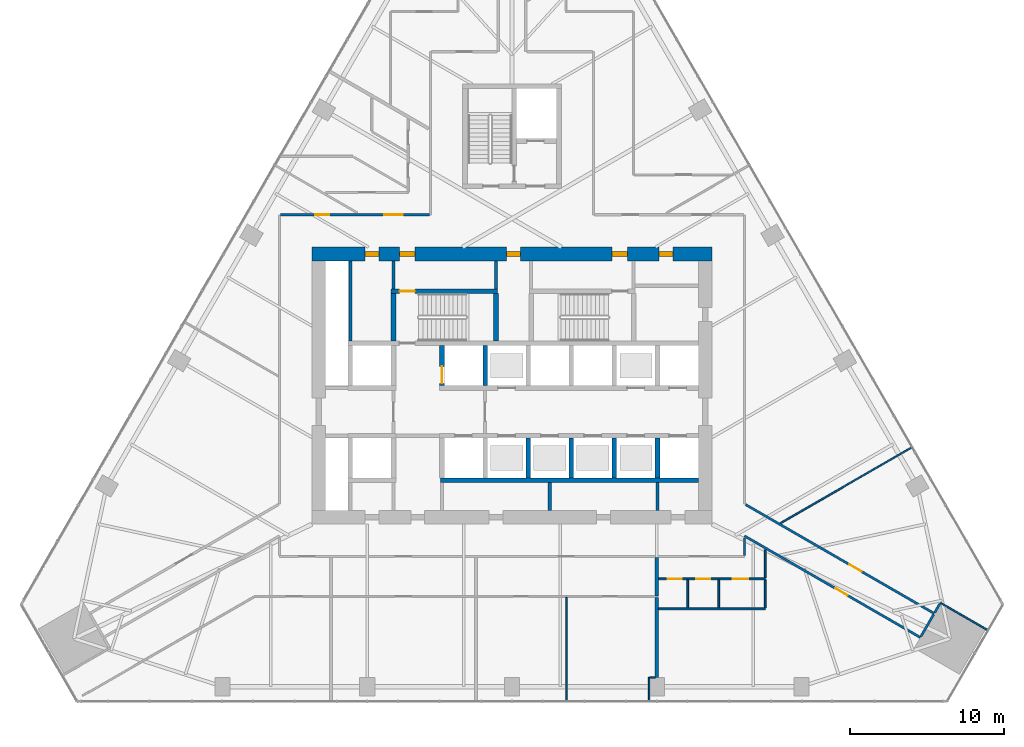
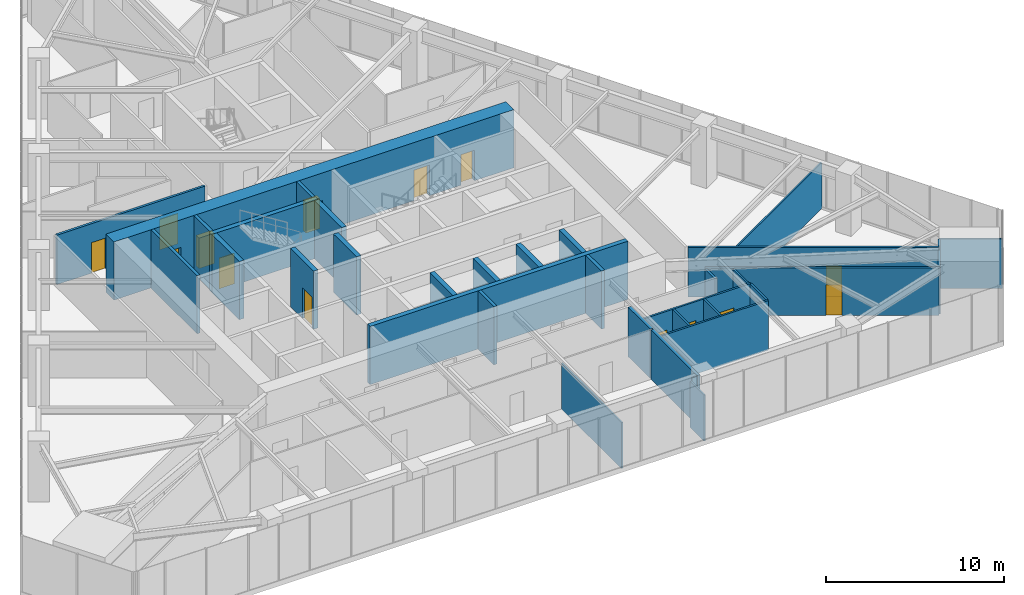
# One storey, part 17 of 21: 35 walls, 14 doors, 14 openings.
"""IFC4 building model written with IfcOpenShell, lengths in metres."""

from ifc_helpers import new_model, si_unit, direction, frame, frame_2d, origin, place, context, subcontext, project, spatial, rectangle, extrude, material, layer, layer_set, type_object, element, fill, save


model = new_model("IFC4")

# Units and contexts
model_context = context("Model", 3, precision=1e-05, world=origin(), true_north=direction((0.0, 1.0)))
body_context = subcontext(model_context, "Body", "Model", "MODEL_VIEW")
ifc_project = project(units=[si_unit("LENGTHUNIT", "METRE"), si_unit("AREAUNIT", "SQUARE_METRE"), si_unit("VOLUMEUNIT", "CUBIC_METRE"), si_unit("PLANEANGLEUNIT", "RADIAN"), si_unit("MASSUNIT", "GRAM", prefix="KILO")], contexts=[model_context])

# Site, building, storey
site_placement = place(None, origin())
site = spatial("IfcSite", under=ifc_project, at=site_placement, CompositionType="ELEMENT")
building_placement = place(site_placement, origin())
building = spatial("IfcBuilding", under=site, at=building_placement, Name="Firuza Gate Tower and Library", CompositionType="ELEMENT")
storey_placement = place(building_placement, frame((0.0, 0.0, 94.60009765625)))
storey = spatial("IfcBuildingStorey", under=building, at=storey_placement, Name="L21", CompositionType="ELEMENT", Elevation=94.60009765625)

# Walls
ifc_material_1 = material(Name="Plasterboard on steel studs", Category="steel")
ifc_layer_1 = layer(ifc_material_1, 0.199951171875)
ifc_layer_set_1 = layer_set([ifc_layer_1], Name="Core partition 200 EI 120")
wall_type_1 = type_object("IfcWallType", Name="Core partition 200 EI 120", PredefinedType="PARTITIONING", material=ifc_layer_set_1)
wall_1_placement = place(storey_placement, frame((64.5, 77.89990234375, 0.0), z_axis=(0.0, 0.0, 1.0), x_axis=(0.0, 1.0, 0.0)))
element("IfcWall", 1, at=wall_1_placement, inside=storey, type_object=wall_type_1, Name="Core partition L21 6", PredefinedType="PARTITIONING", context=body_context, shape_type="SweptSolid", body=[
    extrude(rectangle(XDim=5.2001953125, YDim=0.199951171875, at=frame_2d((2.60009765625, 0.0))), origin(), (0.0, 0.0, 1.0), 4.0),
])
wall_2_placement = place(storey_placement, frame((67.300048828125, 81.280029296875, 0.0), z_axis=(0.0, 0.0, 1.0), x_axis=(0.0, 1.0, 0.0)))
element("IfcWall", 2, at=wall_2_placement, inside=storey, type_object=wall_type_1, Name="Core partition L21 9", PredefinedType="PARTITIONING", context=body_context, shape_type="SweptSolid", body=[
    extrude(rectangle(XDim=1.820068359375, YDim=0.199951171875, at=frame_2d((0.91015625, 0.0))), origin(), (0.0, 0.0, 1.0), 4.0),
])
for number, where, z_axis, x_axis, name in (
    (3, (77.449951171875, 66.89990234375, 0.0), (0.0, 0.0, 1.0), (0.0, 1.0, 0.0), "Core partition L21 14"),
    (4, (84.449951171875, 66.89990234375, 0.0), (0.0, 0.0, 1.0), (0.0, 1.0, 0.0), "Core partition L21 16"),
):
    element("IfcWall", number, at=place(storey_placement, frame(where, z_axis=z_axis, x_axis=x_axis)), inside=storey, type_object=wall_type_1, Name=name, PredefinedType="PARTITIONING", context=body_context, shape_type="SweptSolid", body=[
        extrude(rectangle(XDim=1.800048828125, YDim=0.199951171875, at=frame_2d((0.89990234375, 0.0))), origin(), (0.0, 0.0, 1.0), 4.0),
    ])
ifc_material_2 = material(Name="Plasterboard on steel studs", Category="steel")
ifc_layer_2 = layer(ifc_material_2, 0.199951171875)
ifc_layer_set_2 = layer_set([ifc_layer_2], Name="Core partition 200 EI 60")
wall_type_2 = type_object("IfcWallType", Name="Core partition 200 EI 60", PredefinedType="PARTITIONING", material=ifc_layer_set_2)
wall_3_placement = place(storey_placement, frame((73.9599609375, 81.280029296875, 0.0), z_axis=(0.0, 0.0, 1.0), x_axis=(0.0, 1.0, 0.0)))
element("IfcWall", 5, at=wall_3_placement, inside=storey, type_object=wall_type_2, Name="Core partition L21 12", PredefinedType="PARTITIONING", context=body_context, shape_type="SweptSolid", body=[
    extrude(rectangle(XDim=1.820068359375, YDim=0.199951171875, at=frame_2d((0.91015625, 0.0))), origin(), (0.0, 0.0, 1.0), 4.0),
])
ifc_material_3 = material(Name="Concrete C80/95", Category="concrete")
ifc_layer_3 = layer(ifc_material_3, 0.300048828125)
ifc_layer_set_3 = layer_set([ifc_layer_3], Name="Core wall 300 C80/95")
wall_type_3 = type_object("IfcWallType", Name="Core wall 300 C80/95", PredefinedType="SHEAR", material=ifc_layer_set_3)
wall_4_placement = place(storey_placement, frame((70.35009765625, 68.85009765625, 0.0), z_axis=(0.0, 0.0, 1.0), x_axis=(1.0, 0.0, 0.0)))
element("IfcWall", 6, at=wall_4_placement, inside=storey, type_object=wall_type_3, Name="Core wall L21 6", PredefinedType="SHEAR", context=body_context, shape_type="SweptSolid", body=[
    extrude(rectangle(XDim=16.75, YDim=0.300048828125, at=frame_2d((8.375, 0.0))), origin(), (0.0, 0.0, 1.0), 4.0),
])

# Wall, opening, door
wall_5_placement = place(storey_placement, frame((70.449951171875, 75.0, 0.0), z_axis=(0.0, 0.0, 1.0), x_axis=(0.0, 1.0, 0.0)))
wall_5 = element("IfcWall", 7, at=wall_5_placement, inside=storey, type_object=wall_type_3, Name="Core wall L21 16", PredefinedType="SHEAR", context=body_context, shape_type="SweptSolid", body=[
    extrude(rectangle(XDim=2.60009765625, YDim=0.300048828125, at=frame_2d((1.300048828125, 0.0))), origin(), (0.0, 0.0, 1.0), 4.0),
])
opening_1_placement = place(wall_5_placement, frame((0.14990234375, 0.0, 0.0)))
opening_1 = element("IfcOpeningElement", 8, at=opening_1_placement, cuts=wall_5, Name="Opening LD-FF2-L21", PredefinedType="OPENING", context=body_context, shape_type="SweptSolid", body=[
    extrude(rectangle(XDim=1.10009765625, YDim=2.10009765625, at=frame_2d((0.550048828125, 1.050048828125))), frame((0.0, 0.16015625, 0.0), z_axis=(0.0, -1.0, 0.0), x_axis=(1.0, 0.0, 0.0)), (0.0, 0.0, 1.0), 0.320068359375),
])
ifc_material_4 = material(Name="Stainless steel", Category="steel")
door_type_1 = type_object("IfcDoorType", Name="Lift landing door 1100x2100", OperationType="DOUBLE_DOOR_SLIDING", PredefinedType="DOOR", material=ifc_material_4)
door_1_placement = place(opening_1_placement, origin())
door_1 = element("IfcDoor", 9, at=door_1_placement, inside=storey, type_object=door_type_1, Name="Landing door FF2 L21", OperationType="DOUBLE_DOOR_SLIDING", OverallHeight=2.10009765625, OverallWidth=1.10009765625, PredefinedType="DOOR", context=body_context, shape_type="SweptSolid", body=[
    extrude(rectangle(XDim=1.10009765625, YDim=2.10009765625, at=frame_2d((0.550048828125, 1.050048828125))), frame((0.0, 0.02490234375, 0.0), z_axis=(0.0, -1.0, 0.0), x_axis=(1.0, 0.0, 0.0)), (0.0, 0.0, 1.0), 0.050048828125),
])
fill(opening_1, door_1)

# Walls
for number, where, z_axis, x_axis, name in (
    (10, (73.25, 75.0, 0.0), (0.0, 0.0, 1.0), (0.0, 1.0, 0.0), "Core wall L21 18"),
    (11, (76.050048828125, 69.0, 0.0), (0.0, 0.0, 1.0), (0.0, 1.0, 0.0), "Core wall L21 19"),
    (12, (78.85009765625, 69.0, 0.0), (0.0, 0.0, 1.0), (0.0, 1.0, 0.0), "Core wall L21 21"),
    (13, (81.64990234375, 69.0, 0.0), (0.0, 0.0, 1.0), (0.0, 1.0, 0.0), "Core wall L21 23"),
    (14, (84.449951171875, 69.0, 0.0), (0.0, 0.0, 1.0), (0.0, 1.0, 0.0), "Core wall L21 25"),
):
    element("IfcWall", number, at=place(storey_placement, frame(where, z_axis=z_axis, x_axis=x_axis)), inside=storey, type_object=wall_type_3, Name=name, PredefinedType="SHEAR", context=body_context, shape_type="SweptSolid", body=[
        extrude(rectangle(XDim=2.60009765625, YDim=0.300048828125, at=frame_2d((1.300048828125, 0.0))), origin(), (0.0, 0.0, 1.0), 4.0),
    ])

# Wall, opening, door
wall_6_placement = place(storey_placement, frame((67.14990234375, 81.1298828125, 0.0), z_axis=(0.0, 0.0, 1.0), x_axis=(1.0, 0.0, 0.0)))
wall_6 = element("IfcWall", 15, at=wall_6_placement, inside=storey, type_object=wall_type_3, Name="Core wall L21 28", PredefinedType="SHEAR", context=body_context, shape_type="SweptSolid", body=[
    extrude(rectangle(XDim=6.91015625, YDim=0.300048828125, at=frame_2d((3.455078125, 0.0))), origin(), (0.0, 0.0, 1.0), 4.0),
])
opening_2_placement = place(wall_6_placement, frame((0.544921875, 0.0, 0.0)))
opening_2 = element("IfcOpeningElement", 16, at=opening_2_placement, cuts=wall_6, Name="Opening L21-K13", PredefinedType="OPENING", context=body_context, shape_type="SweptSolid", body=[
    extrude(rectangle(XDim=1.0, YDim=2.10009765625, at=frame_2d((0.5, 1.050048828125))), frame((0.0, 0.16015625, 0.0), z_axis=(0.0, -1.0, 0.0), x_axis=(1.0, 0.0, 0.0)), (0.0, 0.0, 1.0), 0.320068359375),
])
ifc_material_5 = material(Name="Steel", Category="steel")
door_type_2 = type_object("IfcDoorType", Name="Fire door 1000x2100 FD90", OperationType="NOTDEFINED", PredefinedType="DOOR", material=ifc_material_5)
door_2_placement = place(opening_2_placement, origin())
door_2 = element("IfcDoor", 17, at=door_2_placement, inside=storey, type_object=door_type_2, Name="Door L21-K13", OperationType="SINGLE_SWING_RIGHT", OverallHeight=2.10009765625, OverallWidth=1.0, PredefinedType="DOOR", context=body_context, shape_type="SweptSolid", body=[
    extrude(rectangle(XDim=1.0, YDim=2.10009765625, at=frame_2d((0.5, 1.050048828125))), frame((0.0, 0.02490234375, 0.0), z_axis=(0.0, -1.0, 0.0), x_axis=(1.0, 0.0, 0.0)), (0.0, 0.0, 1.0), 0.050048828125),
])
fill(opening_2, door_2)

# Walls
for number, where, z_axis, x_axis, name in (
    (18, (67.300048828125, 77.89990234375, 0.0), (0.0, 0.0, 1.0), (0.0, 1.0, 0.0), "Core wall L21 30"),
    (19, (73.9599609375, 77.89990234375, 0.0), (0.0, 0.0, 1.0), (0.0, 1.0, 0.0), "Core wall L21 31"),
):
    element("IfcWall", number, at=place(storey_placement, frame(where, z_axis=z_axis, x_axis=x_axis)), inside=storey, type_object=wall_type_3, Name=name, PredefinedType="SHEAR", context=body_context, shape_type="SweptSolid", body=[
        extrude(rectangle(XDim=3.080078125, YDim=0.300048828125, at=frame_2d((1.5400390625, 0.0))), origin(), (0.0, 0.0, 1.0), 4.0),
    ])

# Wall, openings, doors
ifc_material_6 = material(Name="Concrete C80/95", Category="concrete")
ifc_layer_4 = layer(ifc_material_6, 0.89990234375)
ifc_layer_set_4 = layer_set([ifc_layer_4], Name="Core wall 900 C80/95")
wall_type_4 = type_object("IfcWallType", Name="Core wall 900 C80/95", PredefinedType="SHEAR", material=ifc_layer_set_4)
wall_7_placement = place(storey_placement, frame((62.0, 83.550048828125, 0.0), z_axis=(0.0, 0.0, 1.0), x_axis=(1.0, 0.0, 0.0)))
wall_7 = element("IfcWall", 20, at=wall_7_placement, inside=storey, type_object=wall_type_4, Name="Core wall L21 2", PredefinedType="SHEAR", context=body_context, shape_type="SweptSolid", body=[
    extrude(rectangle(XDim=26.0, YDim=0.89990234375, at=frame_2d((13.0, 0.0))), origin(), (0.0, 0.0, 1.0), 4.0),
])
opening_3_placement = place(wall_7_placement, frame((5.695068359375, 0.0, 0.0)))
opening_3 = element("IfcOpeningElement", 21, at=opening_3_placement, cuts=wall_7, Name="Opening L21-K14", PredefinedType="OPENING", context=body_context, shape_type="SweptSolid", body=[
    extrude(rectangle(XDim=1.0, YDim=2.10009765625, at=frame_2d((0.5, 1.050048828125))), frame((0.0, 0.4599609375, 0.0), z_axis=(0.0, -1.0, 0.0), x_axis=(1.0, 0.0, 0.0)), (0.0, 0.0, 1.0), 0.919921875),
])
opening_4_placement = place(wall_7_placement, frame((19.5048828125, 0.0, 0.0)))
opening_4 = element("IfcOpeningElement", 22, at=opening_4_placement, cuts=wall_7, Name="Opening L21-K16", PredefinedType="OPENING", context=body_context, shape_type="SweptSolid", body=[
    extrude(rectangle(XDim=1.0, YDim=2.10009765625, at=frame_2d((0.5, 1.050048828125))), frame((0.0, 0.4599609375, 0.0), z_axis=(0.0, -1.0, 0.0), x_axis=(1.0, 0.0, 0.0)), (0.0, 0.0, 1.0), 0.919921875),
])
opening_5_placement = place(wall_7_placement, frame((3.449951171875, 0.0, 0.0)))
opening_5 = element("IfcOpeningElement", 23, at=opening_5_placement, cuts=wall_7, Name="Opening L21-K29", PredefinedType="OPENING", context=body_context, shape_type="SweptSolid", body=[
    extrude(rectangle(XDim=0.89990234375, YDim=2.10009765625, at=frame_2d((0.449951171875, 1.050048828125))), frame((0.0, 0.4599609375, 0.0), z_axis=(0.0, -1.0, 0.0), x_axis=(1.0, 0.0, 0.0)), (0.0, 0.0, 1.0), 0.919921875),
])
opening_6_placement = place(wall_7_placement, frame((12.64990234375, 0.0, 0.0)))
opening_6 = element("IfcOpeningElement", 24, at=opening_6_placement, cuts=wall_7, Name="Opening L21-K30", PredefinedType="OPENING", context=body_context, shape_type="SweptSolid", body=[
    extrude(rectangle(XDim=0.89990234375, YDim=2.10009765625, at=frame_2d((0.449951171875, 1.050048828125))), frame((0.0, 0.4599609375, 0.0), z_axis=(0.0, -1.0, 0.0), x_axis=(1.0, 0.0, 0.0)), (0.0, 0.0, 1.0), 0.919921875),
])
opening_7_placement = place(wall_7_placement, frame((22.550048828125, 0.0, 0.0)))
opening_7 = element("IfcOpeningElement", 25, at=opening_7_placement, cuts=wall_7, Name="Opening L21-K32", PredefinedType="OPENING", context=body_context, shape_type="SweptSolid", body=[
    extrude(rectangle(XDim=0.89990234375, YDim=2.10009765625, at=frame_2d((0.449951171875, 1.050048828125))), frame((0.0, 0.4599609375, 0.0), z_axis=(0.0, -1.0, 0.0), x_axis=(1.0, 0.0, 0.0)), (0.0, 0.0, 1.0), 0.919921875),
])
door_3_placement = place(opening_3_placement, origin())
door_3 = element("IfcDoor", 26, at=door_3_placement, inside=storey, type_object=door_type_2, Name="Door L21-K14", OperationType="SINGLE_SWING_LEFT", OverallHeight=2.10009765625, OverallWidth=1.0, PredefinedType="DOOR", context=body_context, shape_type="SweptSolid", body=[
    extrude(rectangle(XDim=1.0, YDim=2.10009765625, at=frame_2d((0.5, 1.050048828125))), frame((0.0, 0.169921875, 0.0), z_axis=(0.0, -1.0, 0.0), x_axis=(1.0, 0.0, 0.0)), (0.0, 0.0, 1.0), 0.33984375),
])
fill(opening_3, door_3)
door_4_placement = place(opening_4_placement, origin())
door_4 = element("IfcDoor", 27, at=door_4_placement, inside=storey, type_object=door_type_2, Name="Door L21-K16", OperationType="SINGLE_SWING_LEFT", OverallHeight=2.10009765625, OverallWidth=1.0, PredefinedType="DOOR", context=body_context, shape_type="SweptSolid", body=[
    extrude(rectangle(XDim=1.0, YDim=2.10009765625, at=frame_2d((0.5, 1.050048828125))), frame((0.0, 0.169921875, 0.0), z_axis=(0.0, -1.0, 0.0), x_axis=(1.0, 0.0, 0.0)), (0.0, 0.0, 1.0), 0.33984375),
])
fill(opening_4, door_4)
ifc_material_7 = material(Name="Steel", Category="steel")
door_type_3 = type_object("IfcDoorType", Name="Fire door 900x2100 FD30S", OperationType="NOTDEFINED", PredefinedType="DOOR", material=ifc_material_7)
door_5_placement = place(opening_5_placement, origin())
door_5 = element("IfcDoor", 28, at=door_5_placement, inside=storey, type_object=door_type_3, Name="Door L21-K29", OperationType="SINGLE_SWING_RIGHT", OverallHeight=2.10009765625, OverallWidth=0.89990234375, PredefinedType="DOOR", context=body_context, shape_type="SweptSolid", body=[
    extrude(rectangle(XDim=0.89990234375, YDim=2.10009765625, at=frame_2d((0.449951171875, 1.050048828125))), frame((0.0, 0.169921875, 0.0), z_axis=(0.0, -1.0, 0.0), x_axis=(1.0, 0.0, 0.0)), (0.0, 0.0, 1.0), 0.33984375),
])
fill(opening_5, door_5)
door_6_placement = place(opening_6_placement, origin())
door_6 = element("IfcDoor", 29, at=door_6_placement, inside=storey, type_object=door_type_3, Name="Door L21-K30", OperationType="SINGLE_SWING_LEFT", OverallHeight=2.10009765625, OverallWidth=0.89990234375, PredefinedType="DOOR", context=body_context, shape_type="SweptSolid", body=[
    extrude(rectangle(XDim=0.89990234375, YDim=2.10009765625, at=frame_2d((0.449951171875, 1.050048828125))), frame((0.0, 0.169921875, 0.0), z_axis=(0.0, -1.0, 0.0), x_axis=(1.0, 0.0, 0.0)), (0.0, 0.0, 1.0), 0.33984375),
])
fill(opening_6, door_6)
door_7_placement = place(opening_7_placement, origin())
door_7 = element("IfcDoor", 30, at=door_7_placement, inside=storey, type_object=door_type_3, Name="Door L21-K32", OperationType="SINGLE_SWING_LEFT", OverallHeight=2.10009765625, OverallWidth=0.89990234375, PredefinedType="DOOR", context=body_context, shape_type="SweptSolid", body=[
    extrude(rectangle(XDim=0.89990234375, YDim=2.10009765625, at=frame_2d((0.449951171875, 1.050048828125))), frame((0.0, 0.169921875, 0.0), z_axis=(0.0, -1.0, 0.0), x_axis=(1.0, 0.0, 0.0)), (0.0, 0.0, 1.0), 0.33984375),
])
fill(opening_7, door_7)

ifc_material_8 = material(Name="Gypsum board partition")
ifc_layer_5 = layer(ifc_material_8, 0.14990234375)
ifc_layer_set_5 = layer_set([ifc_layer_5], Name="Corridor wall 150 double board on steel studs")
wall_type_5 = type_object("IfcWallType", Name="Corridor wall 150 double board on steel studs", PredefinedType="PARTITIONING", material=ifc_layer_set_5)
wall_8_placement = place(storey_placement, frame((59.9755859375, 86.10009765625, 0.0), z_axis=(0.0, 0.0, 1.0), x_axis=(1.0, 0.0, 0.0)))
wall_8 = element("IfcWall", 31, at=wall_8_placement, inside=storey, type_object=wall_type_5, Name="f:L21:w005", PredefinedType="PARTITIONING", context=body_context, shape_type="SweptSolid", body=[
    extrude(rectangle(XDim=9.6494140625, YDim=0.14990234375, at=frame_2d((4.82470703125, 0.0))), origin(), (0.0, 0.0, 1.0), 3.39990234375),
])
opening_8_placement = place(wall_8_placement, frame((2.25244140625, 0.0, 0.0)))
opening_8 = element("IfcOpeningElement", 32, at=opening_8_placement, cuts=wall_8, Name="Opening L21-12", PredefinedType="OPENING", context=body_context, shape_type="SweptSolid", body=[
    extrude(rectangle(XDim=0.89990234375, YDim=2.10009765625, at=frame_2d((0.449951171875, 1.050048828125))), frame((0.0, 0.0849609375, 0.0), z_axis=(0.0, -1.0, 0.0), x_axis=(1.0, 0.0, 0.0)), (0.0, 0.0, 1.0), 0.169921875),
])
opening_9_placement = place(wall_8_placement, frame((6.722900390625, 0.0, 0.0)))
opening_9 = element("IfcOpeningElement", 33, at=opening_9_placement, cuts=wall_8, Name="Opening L21-13", PredefinedType="OPENING", context=body_context, shape_type="SweptSolid", body=[
    extrude(rectangle(XDim=1.199951171875, YDim=2.10009765625, at=frame_2d((0.60009765625, 1.050048828125))), frame((0.0, 0.0849609375, 0.0), z_axis=(0.0, -1.0, 0.0), x_axis=(1.0, 0.0, 0.0)), (0.0, 0.0, 1.0), 0.169921875),
])
ifc_material_9 = material(Name="Steel door and timber leaf", Category="steel")
door_type_4 = type_object("IfcDoorType", Name="Fire door 1200 x 2100 steel frame, double leaf", OperationType="NOTDEFINED", PredefinedType="DOOR", material=ifc_material_9)
door_8_placement = place(opening_9_placement, origin())
door_8 = element("IfcDoor", 34, at=door_8_placement, inside=storey, type_object=door_type_4, Name="f:L21:d013", OperationType="DOUBLE_DOOR_SINGLE_SWING", OverallHeight=2.10009765625, OverallWidth=1.199951171875, PredefinedType="DOOR", context=body_context, shape_type="SweptSolid", body=[
    extrude(rectangle(XDim=1.199951171875, YDim=2.10009765625, at=frame_2d((0.60009765625, 1.050048828125))), frame((0.0, 0.02490234375, 0.0), z_axis=(0.0, -1.0, 0.0), x_axis=(1.0, 0.0, 0.0)), (0.0, 0.0, 1.0), 0.050048828125),
])
fill(opening_9, door_8)
ifc_material_10 = material(Name="Steel door and timber leaf", Category="steel")
door_type_5 = type_object("IfcDoorType", Name="Fire door 900 x 2100 steel frame, timber leaf", OperationType="NOTDEFINED", PredefinedType="DOOR", material=ifc_material_10)
door_9_placement = place(opening_8_placement, origin())
door_9 = element("IfcDoor", 35, at=door_9_placement, inside=storey, type_object=door_type_5, Name="f:L21:d012", OperationType="SINGLE_SWING_LEFT", OverallHeight=2.10009765625, OverallWidth=0.89990234375, PredefinedType="DOOR", context=body_context, shape_type="SweptSolid", body=[
    extrude(rectangle(XDim=0.89990234375, YDim=2.10009765625, at=frame_2d((0.449951171875, 1.050048828125))), frame((0.0, 0.02490234375, 0.0), z_axis=(0.0, -1.0, 0.0), x_axis=(1.0, 0.0, 0.0)), (0.0, 0.0, 1.0), 0.050048828125),
])
fill(opening_8, door_9)

# Walls
wall_9_placement = place(storey_placement, frame((101.567138671875, 58.70947265625, 0.0), z_axis=(0.0, 0.0, 1.0), x_axis=(0.499991515992, 0.866030301974, 0.0)))
element("IfcWall", 36, at=wall_9_placement, inside=storey, type_object=wall_type_5, Name="f:L21:w024", PredefinedType="PARTITIONING", context=body_context, shape_type="SweptSolid", body=[
    extrude(rectangle(XDim=1.6494140625, YDim=0.14990234375, at=frame_2d((0.82470703125, 0.0))), origin(), (0.0, 0.0, 1.0), 3.246826171875),
])
wall_10_placement = place(storey_placement, frame((90.10009765625, 63.97509765625, 0.0), z_axis=(0.0, 0.0, 1.0), x_axis=(0.0, 1.0, 0.0)))
element("IfcWall", 37, at=wall_10_placement, inside=storey, type_object=wall_type_5, Name="f:L21:w026", PredefinedType="PARTITIONING", context=body_context, shape_type="SweptSolid", body=[
    extrude(rectangle(XDim=1.131103515625, YDim=0.14990234375, at=frame_2d((0.5654296875, 0.0))), origin(), (0.0, 0.0, 1.0), 3.246826171875),
])

# Wall, opening, door
wall_11_placement = place(storey_placement, frame((90.175048828125, 67.278076171875, 0.0), z_axis=(0.0, 0.0, 1.0), x_axis=(0.866020657332, -0.500008221008, 0.0)))
wall_11 = element("IfcWall", 38, at=wall_11_placement, inside=storey, type_object=wall_type_5, Name="f:L21:w055", PredefinedType="PARTITIONING", context=body_context, shape_type="SweptSolid", body=[
    extrude(rectangle(XDim=14.149658203125, YDim=0.14990234375, at=frame_2d((7.07470703125, 0.0))), origin(), (0.0, 0.0, 1.0), 3.39990234375),
])
opening_10_placement = place(wall_11_placement, frame((7.782470703125, 0.0, 0.0)))
opening_10 = element("IfcOpeningElement", 39, at=opening_10_placement, cuts=wall_11, Name="Opening L21-23", PredefinedType="OPENING", context=body_context, shape_type="SweptSolid", body=[
    extrude(rectangle(XDim=0.89990234375, YDim=2.10009765625, at=frame_2d((0.449951171875, 1.050048828125))), frame((0.0, 0.0849609375, 0.0), z_axis=(0.0, -1.0, 0.0), x_axis=(1.0, 0.0, 0.0)), (0.0, 0.0, 1.0), 0.169921875),
])
door_10_placement = place(opening_10_placement, origin())
door_10 = element("IfcDoor", 40, at=door_10_placement, inside=storey, type_object=door_type_5, Name="f:L21:d023", OperationType="SINGLE_SWING_RIGHT", OverallHeight=2.10009765625, OverallWidth=0.89990234375, PredefinedType="DOOR", context=body_context, shape_type="SweptSolid", body=[
    extrude(rectangle(XDim=0.89990234375, YDim=2.10009765625, at=frame_2d((0.449951171875, 1.050048828125))), frame((0.0, 0.02490234375, 0.0), z_axis=(0.0, -1.0, 0.0), x_axis=(1.0, 0.0, 0.0)), (0.0, 0.0, 1.0), 0.050048828125),
])
fill(opening_10, door_10)

wall_12_placement = place(storey_placement, frame((101.528564453125, 58.64453125, 0.0), z_axis=(0.0, 0.0, 1.0), x_axis=(-0.866020144196, 0.500009109764, 0.0)))
wall_12 = element("IfcWall", 41, at=wall_12_placement, inside=storey, type_object=wall_type_5, Name="f:L21:w056", PredefinedType="PARTITIONING", context=body_context, shape_type="SweptSolid", body=[
    extrude(rectangle(XDim=13.196533203125, YDim=0.14990234375, at=frame_2d((6.59814453125, 0.0))), origin(), (0.0, 0.0, 1.0), 3.246826171875),
])
opening_11_placement = place(wall_12_placement, frame((5.467041015625, 0.0, 0.0)))
opening_11 = element("IfcOpeningElement", 42, at=opening_11_placement, cuts=wall_12, Name="Opening L21-24", PredefinedType="OPENING", context=body_context, shape_type="SweptSolid", body=[
    extrude(rectangle(XDim=0.89990234375, YDim=2.10009765625, at=frame_2d((0.449951171875, 1.050048828125))), frame((0.0, 0.0849609375, 0.0), z_axis=(0.0, -1.0, 0.0), x_axis=(1.0, 0.0, 0.0)), (0.0, 0.0, 1.0), 0.169921875),
])
door_11_placement = place(opening_11_placement, origin())
door_11 = element("IfcDoor", 43, at=door_11_placement, inside=storey, type_object=door_type_5, Name="f:L21:d024", OperationType="SINGLE_SWING_RIGHT", OverallHeight=2.10009765625, OverallWidth=0.89990234375, PredefinedType="DOOR", context=body_context, shape_type="SweptSolid", body=[
    extrude(rectangle(XDim=0.89990234375, YDim=2.10009765625, at=frame_2d((0.449951171875, 1.050048828125))), frame((0.0, 0.02490234375, 0.0), z_axis=(0.0, -1.0, 0.0), x_axis=(1.0, 0.0, 0.0)), (0.0, 0.0, 1.0), 0.050048828125),
])
fill(opening_11, door_11)

# Walls
wall_13_placement = place(storey_placement, frame((102.467041015625, 60.267822265625, 0.0), z_axis=(0.0, 0.0, 1.0), x_axis=(0.499837337514, 0.866119296648, 0.0)))
element("IfcWall", 44, at=wall_13_placement, inside=storey, type_object=wall_type_5, Name="f:L21:w062", PredefinedType="PARTITIONING", context=body_context, shape_type="SweptSolid", body=[
    extrude(rectangle(XDim=0.674560546875, YDim=0.14990234375, at=frame_2d((0.33740234375, 0.0))), origin(), (0.0, 0.0, 1.0), 3.39990234375),
])
ifc_material_11 = material(Name="Gypsum board partition")
ifc_layer_6 = layer(ifc_material_11, 0.199951171875)
ifc_layer_set_6 = layer_set([ifc_layer_6], Name="Demising wall 200 acoustic double stud")
wall_type_6 = type_object("IfcWallType", Name="Demising wall 200 acoustic double stud", PredefinedType="PARTITIONING", material=ifc_layer_set_6)
wall_14_placement = place(storey_placement, frame((84.403076171875, 56.056396484375, 0.0), z_axis=(0.0, 0.0, 1.0), x_axis=(0.0, 1.0, 0.0)))
element("IfcWall", 45, at=wall_14_placement, inside=storey, type_object=wall_type_6, Name="f:L21:w030", PredefinedType="PARTITIONING", context=body_context, shape_type="SweptSolid", body=[
    extrude(rectangle(XDim=5.193603515625, YDim=0.199951171875, at=frame_2d((2.5966796875, 0.0))), origin(), (0.0, 0.0, 1.0), 3.39990234375),
])
wall_15_placement = place(storey_placement, frame((84.403076171875, 61.35009765625, 0.0), z_axis=(0.0, 0.0, 1.0), x_axis=(0.0, 1.0, 0.0)))
element("IfcWall", 46, at=wall_15_placement, inside=storey, type_object=wall_type_6, Name="f:L21:w058", PredefinedType="PARTITIONING", context=body_context, shape_type="SweptSolid", body=[
    extrude(rectangle(XDim=2.474853515625, YDim=0.199951171875, at=frame_2d((1.2373046875, 0.0))), origin(), (0.0, 0.0, 1.0), 3.39990234375),
])
ifc_material_12 = material(Name="Gypsum board partition")
ifc_layer_7 = layer(ifc_material_12, 0.10009765625)
ifc_layer_set_7 = layer_set([ifc_layer_7], Name="Partition 100 gypsum board on steel studs")
wall_type_7 = type_object("IfcWallType", Name="Partition 100 gypsum board on steel studs", PredefinedType="PARTITIONING", material=ifc_layer_set_7)
wall_16_placement = place(storey_placement, frame((83.953857421875, 56.055908203125, 0.0), z_axis=(0.0, 0.0, 1.0), x_axis=(1.0, 0.0, 0.0)))
element("IfcWall", 47, at=wall_16_placement, inside=storey, type_object=wall_type_7, Name="f:L21:w000", PredefinedType="PARTITIONING", context=body_context, shape_type="SweptSolid", body=[
    extrude(rectangle(XDim=0.348876953125, YDim=0.10009765625, at=frame_2d((0.17431640625, 0.0))), origin(), (0.0, 0.0, 1.0), 3.39990234375),
])
wall_17_placement = place(storey_placement, frame((92.456787109375, 66.0771484375, 0.0), z_axis=(0.0, 0.0, 1.0), x_axis=(0.866029936849, 0.499992148419, 0.0)))
element("IfcWall", 48, at=wall_17_placement, inside=storey, type_object=wall_type_7, Name="f:L21:w015", PredefinedType="PARTITIONING", context=body_context, shape_type="SweptSolid", body=[
    extrude(rectangle(XDim=9.847412109375, YDim=0.10009765625, at=frame_2d((4.923828125, 0.0))), origin(), (0.0, 0.0, 1.0), 3.164794921875),
])
wall_18_placement = place(storey_placement, frame((83.903076171875, 54.495849609375, 0.0), z_axis=(0.0, 0.0, 1.0), x_axis=(0.0, 1.0, 0.0)))
element("IfcWall", 49, at=wall_18_placement, inside=storey, type_object=wall_type_7, Name="f:L21:w031", PredefinedType="PARTITIONING", context=body_context, shape_type="SweptSolid", body=[
    extrude(rectangle(XDim=1.5595703125, YDim=0.10009765625, at=frame_2d((0.77978515625, 0.0))), origin(), (0.0, 0.0, 1.0), 3.164794921875),
])
wall_19_placement = place(storey_placement, frame((78.52587890625, 54.495849609375, 0.0), z_axis=(0.0, 0.0, 1.0), x_axis=(0.0, 1.0, 0.0)))
element("IfcWall", 50, at=wall_19_placement, inside=storey, type_object=wall_type_7, Name="f:L21:w034", PredefinedType="PARTITIONING", context=body_context, shape_type="SweptSolid", body=[
    extrude(rectangle(XDim=6.754150390625, YDim=0.10009765625, at=frame_2d((3.376953125, 0.0))), origin(), (0.0, 0.0, 1.0), 3.164794921875),
])
wall_20_placement = place(storey_placement, frame((105.912109375, 59.115966796875, 0.0), z_axis=(0.0, 0.0, 1.0), x_axis=(-0.866014251095, 0.500019316528, 0.0)))
element("IfcWall", 51, at=wall_20_placement, inside=storey, type_object=wall_type_7, Name="f:L21:w054", PredefinedType="PARTITIONING", context=body_context, shape_type="SweptSolid", body=[
    extrude(rectangle(XDim=3.559326171875, YDim=0.10009765625, at=frame_2d((1.77978515625, 0.0))), origin(), (0.0, 0.0, 1.0), 3.39990234375),
])
ifc_material_13 = material(Name="Gypsum board partition")
ifc_layer_8 = layer(ifc_material_13, 0.1201171875)
ifc_layer_set_8 = layer_set([ifc_layer_8], Name="Wet-area partition 120 moisture-resistant board")
wall_type_8 = type_object("IfcWallType", Name="Wet-area partition 120 moisture-resistant board", PredefinedType="PARTITIONING", material=ifc_layer_set_8)
wall_21_placement = place(storey_placement, frame((84.50390625, 60.5, 0.0), z_axis=(0.0, 0.0, 1.0), x_axis=(1.0, 0.0, 0.0)))
element("IfcWall", 52, at=wall_21_placement, inside=storey, type_object=wall_type_8, Name="f:L21:w001", PredefinedType="PARTITIONING", context=body_context, shape_type="SweptSolid", body=[
    extrude(rectangle(XDim=6.951416015625, YDim=0.1201171875, at=frame_2d((3.4755859375, 0.0))), origin(), (0.0, 0.0, 1.0), 3.39990234375),
])

# Wall, openings, doors
wall_22_placement = place(storey_placement, frame((84.50341796875, 62.449951171875, 0.0), z_axis=(0.0, 0.0, 1.0), x_axis=(1.0, 0.0, 0.0)))
wall_22 = element("IfcWall", 53, at=wall_22_placement, inside=storey, type_object=wall_type_8, Name="f:L21:w003", PredefinedType="PARTITIONING", context=body_context, shape_type="SweptSolid", body=[
    extrude(rectangle(XDim=6.952392578125, YDim=0.1201171875, at=frame_2d((3.47607421875, 0.0))), origin(), (0.0, 0.0, 1.0), 3.39990234375),
])
opening_12_placement = place(wall_22_placement, frame((0.60888671875, 0.0, 0.0)))
opening_12 = element("IfcOpeningElement", 54, at=opening_12_placement, cuts=wall_22, Name="Opening L21-05", PredefinedType="OPENING", context=body_context, shape_type="SweptSolid", body=[
    extrude(rectangle(XDim=0.89990234375, YDim=2.10009765625, at=frame_2d((0.449951171875, 1.050048828125))), frame((0.0, 0.070068359375, 0.0), z_axis=(0.0, -1.0, 0.0), x_axis=(1.0, 0.0, 0.0)), (0.0, 0.0, 1.0), 0.14013671875),
])
opening_13_placement = place(wall_22_placement, frame((2.472412109375, 0.0, 0.0)))
opening_13 = element("IfcOpeningElement", 55, at=opening_13_placement, cuts=wall_22, Name="Opening L21-06", PredefinedType="OPENING", context=body_context, shape_type="SweptSolid", body=[
    extrude(rectangle(XDim=0.89990234375, YDim=2.10009765625, at=frame_2d((0.449951171875, 1.050048828125))), frame((0.0, 0.070068359375, 0.0), z_axis=(0.0, -1.0, 0.0), x_axis=(1.0, 0.0, 0.0)), (0.0, 0.0, 1.0), 0.14013671875),
])
opening_14_placement = place(wall_22_placement, frame((4.83984375, 0.0, 0.0)))
opening_14 = element("IfcOpeningElement", 56, at=opening_14_placement, cuts=wall_22, Name="Opening L21-07", PredefinedType="OPENING", context=body_context, shape_type="SweptSolid", body=[
    extrude(rectangle(XDim=1.0, YDim=2.10009765625, at=frame_2d((0.5, 1.050048828125))), frame((0.0, 0.070068359375, 0.0), z_axis=(0.0, -1.0, 0.0), x_axis=(1.0, 0.0, 0.0)), (0.0, 0.0, 1.0), 0.14013671875),
])
ifc_material_14 = material(Name="Timber door", Category="wood")
door_type_6 = type_object("IfcDoorType", Name="Door 1000 x 2100 timber leaf", OperationType="NOTDEFINED", PredefinedType="DOOR", material=ifc_material_14)
door_12_placement = place(opening_14_placement, origin())
door_12 = element("IfcDoor", 57, at=door_12_placement, inside=storey, type_object=door_type_6, Name="f:L21:d007", OperationType="SINGLE_SWING_LEFT", OverallHeight=2.10009765625, OverallWidth=1.0, PredefinedType="DOOR", context=body_context, shape_type="SweptSolid", body=[
    extrude(rectangle(XDim=1.0, YDim=2.10009765625, at=frame_2d((0.5, 1.050048828125))), frame((0.0, 0.02490234375, 0.0), z_axis=(0.0, -1.0, 0.0), x_axis=(1.0, 0.0, 0.0)), (0.0, 0.0, 1.0), 0.050048828125),
])
fill(opening_14, door_12)
ifc_material_15 = material(Name="Timber door", Category="wood")
door_type_7 = type_object("IfcDoorType", Name="Door 900 x 2100 timber leaf", OperationType="NOTDEFINED", PredefinedType="DOOR", material=ifc_material_15)
door_13_placement = place(opening_12_placement, origin())
door_13 = element("IfcDoor", 58, at=door_13_placement, inside=storey, type_object=door_type_7, Name="f:L21:d005", OperationType="SINGLE_SWING_LEFT", OverallHeight=2.10009765625, OverallWidth=0.89990234375, PredefinedType="DOOR", context=body_context, shape_type="SweptSolid", body=[
    extrude(rectangle(XDim=0.89990234375, YDim=2.10009765625, at=frame_2d((0.449951171875, 1.050048828125))), frame((0.0, 0.02490234375, 0.0), z_axis=(0.0, -1.0, 0.0), x_axis=(1.0, 0.0, 0.0)), (0.0, 0.0, 1.0), 0.050048828125),
])
fill(opening_12, door_13)
door_14_placement = place(opening_13_placement, origin())
door_14 = element("IfcDoor", 59, at=door_14_placement, inside=storey, type_object=door_type_7, Name="f:L21:d006", OperationType="SINGLE_SWING_RIGHT", OverallHeight=2.10009765625, OverallWidth=0.89990234375, PredefinedType="DOOR", context=body_context, shape_type="SweptSolid", body=[
    extrude(rectangle(XDim=0.89990234375, YDim=2.10009765625, at=frame_2d((0.449951171875, 1.050048828125))), frame((0.0, 0.02490234375, 0.0), z_axis=(0.0, -1.0, 0.0), x_axis=(1.0, 0.0, 0.0)), (0.0, 0.0, 1.0), 0.050048828125),
])
fill(opening_13, door_14)

# Walls
wall_23_placement = place(storey_placement, frame((91.4560546875, 60.560546875, 0.0), z_axis=(0.0, 0.0, 1.0), x_axis=(0.0, 1.0, 0.0)))
element("IfcWall", 60, at=wall_23_placement, inside=storey, type_object=wall_type_8, Name="f:L21:w025", PredefinedType="PARTITIONING", context=body_context, shape_type="SweptSolid", body=[
    extrude(rectangle(XDim=1.829345703125, YDim=0.1201171875, at=frame_2d((0.91455078125, 0.0))), origin(), (0.0, 0.0, 1.0), 3.39990234375),
])
for number, where, z_axis, x_axis, name in (
    (61, (88.43310546875, 60.56005859375, 0.0), (0.0, 0.0, 1.0), (0.0, 1.0, 0.0), "f:L21:w028"),
    (62, (86.41796875, 60.56005859375, 0.0), (0.0, 0.0, 1.0), (0.0, 1.0, 0.0), "f:L21:w029"),
):
    element("IfcWall", number, at=place(storey_placement, frame(where, z_axis=z_axis, x_axis=x_axis)), inside=storey, type_object=wall_type_8, Name=name, PredefinedType="PARTITIONING", context=body_context, shape_type="SweptSolid", body=[
        extrude(rectangle(XDim=1.829833984375, YDim=0.1201171875, at=frame_2d((0.9150390625, 0.0))), origin(), (0.0, 0.0, 1.0), 3.39990234375),
    ])
wall_24_placement = place(storey_placement, frame((91.4560546875, 62.510009765625, 0.0), z_axis=(0.0, 0.0, 1.0), x_axis=(0.0, 1.0, 0.0)))
element("IfcWall", 63, at=wall_24_placement, inside=storey, type_object=wall_type_8, Name="f:L21:w059", PredefinedType="PARTITIONING", context=body_context, shape_type="SweptSolid", body=[
    extrude(rectangle(XDim=1.8232421875, YDim=0.1201171875, at=frame_2d((0.91162109375, 0.0))), origin(), (0.0, 0.0, 1.0), 3.246826171875),
])

save(model, "model.ifc")
